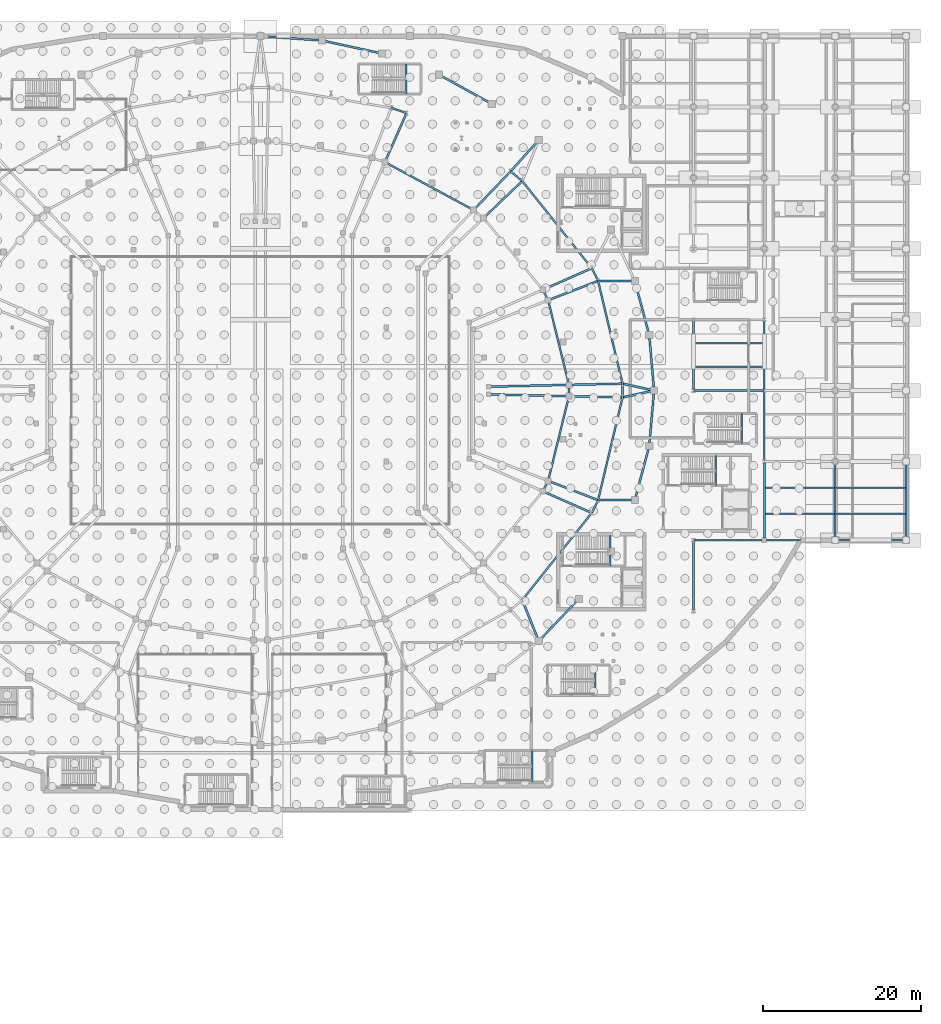
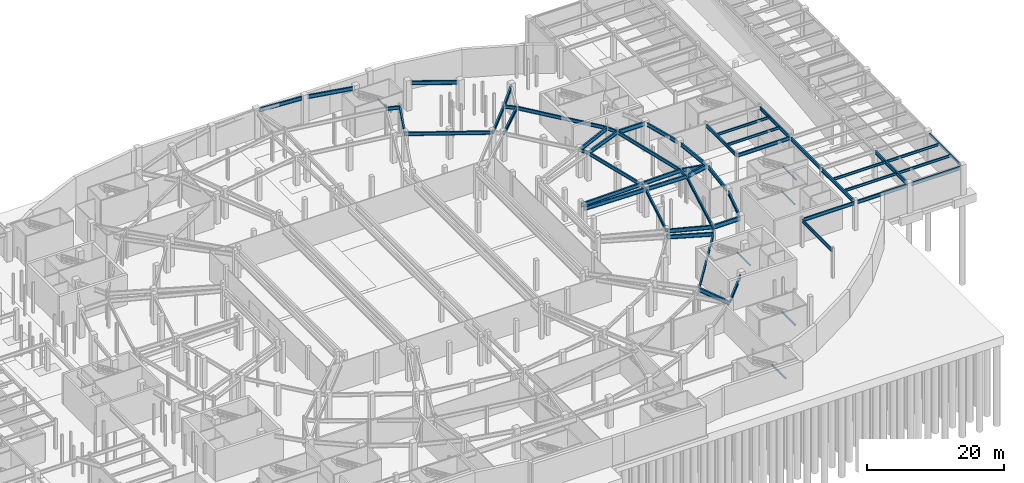
# One storey, part 37 of 56: 63 beams.
"""IFC4 building model written with IfcOpenShell, lengths in metres."""

from ifc_helpers import new_model, si_unit, direction, frame, origin, origin_2d, place, context, subcontext, project, spatial, hollow_rectangle, i_section, extrude, material, material_profile, profile_set, type_object, element, save


model = new_model("IFC4")

# Units and contexts
model_context = context("Model", 3, precision=1e-05, world=origin(), true_north=direction((0.0, 1.0)))
body_context = subcontext(model_context, "Body", "Model", "MODEL_VIEW")
ifc_project = project(units=[si_unit("LENGTHUNIT", "METRE"), si_unit("AREAUNIT", "SQUARE_METRE"), si_unit("VOLUMEUNIT", "CUBIC_METRE"), si_unit("PLANEANGLEUNIT", "RADIAN"), si_unit("MASSUNIT", "GRAM", prefix="KILO")], contexts=[model_context])

# Site, building, storey
site_placement = place(None, origin())
site = spatial("IfcSite", under=ifc_project, at=site_placement, CompositionType="ELEMENT")
building_placement = place(site_placement, origin())
building = spatial("IfcBuilding", under=site, at=building_placement, Name="Glasvene Arena", CompositionType="ELEMENT")
storey_placement = place(building_placement, frame((0.0, 0.0, -5.39990234375)))
storey = spatial("IfcBuildingStorey", under=building, at=storey_placement, Name="B1", CompositionType="ELEMENT", Elevation=-5.39990234375)

# Beams
ifc_material = material(Name="Steel S355J2", Category="steel")
ifc_material_profile_1 = material_profile(ifc_material, i_section(OverallWidth=0.228271484375, OverallDepth=0.607666015625, WebThickness=0.010986328125, FlangeThickness=0.017333984375, FilletRadius=0.0126953125, at=origin_2d()), Name="UKB 610x229x113")
ifc_profile_set_1 = profile_set([ifc_material_profile_1], Name="Steel S355J2")
beam_type_1 = type_object("IfcBeamType", Name="BM-GIRD-610", PredefinedType="BEAM", material=ifc_profile_set_1)
beam_1_placement = place(storey_placement, frame((147.050048828125, 54.0, 4.736083984375), z_axis=(1.0, 0.0, 0.0), x_axis=(0.0, 1.0, 0.0)))
element("IfcBeam", 1, at=beam_1_placement, inside=storey, type_object=beam_type_1, Name="Primary X girder B1-0036", PredefinedType="BEAM", context=body_context, shape_type="SweptSolid", body=[
    extrude(i_section(OverallWidth=0.228271484375, OverallDepth=0.607666015625, WebThickness=0.010986328125, FlangeThickness=0.017333984375, FilletRadius=0.0126953125, at=origin_2d()), origin(), (0.0, 0.0, 1.0), 8.655029296875),
])
beam_2_placement = place(storey_placement, frame((156.294921875, 54.0, 4.736083984375), z_axis=(1.0, 0.0, 0.0), x_axis=(0.0, 1.0, 0.0)))
element("IfcBeam", 2, at=beam_2_placement, inside=storey, type_object=beam_type_1, Name="Primary X girder B1-0037", PredefinedType="BEAM", context=body_context, shape_type="SweptSolid", body=[
    extrude(i_section(OverallWidth=0.228271484375, OverallDepth=0.607666015625, WebThickness=0.010986328125, FlangeThickness=0.017333984375, FilletRadius=0.0126953125, at=origin_2d()), origin(), (0.0, 0.0, 1.0), 8.260009765625),
])
beam_3_placement = place(storey_placement, frame((165.445068359375, 54.0, 4.736083984375), z_axis=(1.0, 0.0, 0.0), x_axis=(0.0, 1.0, 0.0)))
element("IfcBeam", 3, at=beam_3_placement, inside=storey, type_object=beam_type_1, Name="Primary X girder B1-0038", PredefinedType="BEAM", context=body_context, shape_type="SweptSolid", body=[
    extrude(i_section(OverallWidth=0.228271484375, OverallDepth=0.607666015625, WebThickness=0.010986328125, FlangeThickness=0.017333984375, FilletRadius=0.0126953125, at=origin_2d()), origin(), (0.0, 0.0, 1.0), 8.10986328125),
])
beam_4_placement = place(storey_placement, frame((147.050048828125, 73.0, 4.736083984375), z_axis=(1.0, 0.0, 0.0), x_axis=(0.0, 1.0, 0.0)))
element("IfcBeam", 4, at=beam_4_placement, inside=storey, type_object=beam_type_1, Name="Primary X girder B1-0047", PredefinedType="BEAM", context=body_context, shape_type="SweptSolid", body=[
    extrude(i_section(OverallWidth=0.228271484375, OverallDepth=0.607666015625, WebThickness=0.010986328125, FlangeThickness=0.017333984375, FilletRadius=0.0126953125, at=origin_2d()), origin(), (0.0, 0.0, 1.0), 8.89990234375),
])
for number, where, z_axis, x_axis, name in (
    (5, (147.0, 45.185546875, 4.736083984375), (0.0, 1.0, 0.0), (-1.0, 0.0, 0.0), "Primary Y girder B1-0144"),
    (6, (147.0, 73.185546875, 4.736083984375), (0.0, 1.0, 0.0), (-1.0, 0.0, 0.0), "Primary Y girder B1-0145"),
    (7, (156.0, 64.185546875, 4.736083984375), (0.0, 1.0, 0.0), (-1.0, 0.0, 0.0), "Primary Y girder B1-0150"),
    (8, (156.0, 73.185546875, 4.736083984375), (0.0, 1.0, 0.0), (-1.0, 0.0, 0.0), "Primary Y girder B1-0151"),
):
    element("IfcBeam", number, at=place(storey_placement, frame(where, z_axis=z_axis, x_axis=x_axis)), inside=storey, type_object=beam_type_1, Name=name, PredefinedType="BEAM", context=body_context, shape_type="SweptSolid", body=[
        extrude(i_section(OverallWidth=0.228271484375, OverallDepth=0.607666015625, WebThickness=0.010986328125, FlangeThickness=0.017333984375, FilletRadius=0.0126953125, at=origin_2d()), origin(), (0.0, 0.0, 1.0), 8.62890625),
    ])
beam_5_placement = place(storey_placement, frame((137.98828125, 73.87353515625, 4.73486328125), z_axis=(-0.23122513322, 0.972900271234, 0.0), x_axis=(-0.972900271234, -0.23122513322, 0.0)))
element("IfcBeam", 9, at=beam_5_placement, inside=storey, type_object=beam_type_1, Name="Concourse inner ring girder B1-01", PredefinedType="BEAM", context=body_context, shape_type="SweptSolid", body=[
    extrude(i_section(OverallWidth=0.228271484375, OverallDepth=0.607666015625, WebThickness=0.010986328125, FlangeThickness=0.017333984375, FilletRadius=0.0126953125, at=origin_2d()), origin(), (0.0, 0.0, 1.0), 13.41259765625),
])
beam_6_placement = place(storey_placement, frame((131.18994140625, 73.71923828125, 4.73486328125), z_axis=(-0.23885804662, 0.971054495672, 0.0), x_axis=(-0.971054495672, -0.23885804662, 0.0)))
element("IfcBeam", 10, at=beam_6_placement, inside=storey, type_object=beam_type_1, Name="Mid-bowl ring girder B1-01", PredefinedType="BEAM", context=body_context, shape_type="SweptSolid", body=[
    extrude(i_section(OverallWidth=0.228271484375, OverallDepth=0.607666015625, WebThickness=0.010986328125, FlangeThickness=0.017333984375, FilletRadius=0.0126953125, at=origin_2d()), origin(), (0.0, 0.0, 1.0), 11.064453125),
])
beam_7_placement = place(storey_placement, frame((134.886962890625, 86.922607421875, 4.73486328125), z_axis=(-0.443576698242, 0.896236415672, 0.0), x_axis=(-0.896236415672, -0.443576698242, 0.0)))
element("IfcBeam", 11, at=beam_7_placement, inside=storey, type_object=beam_type_1, Name="Concourse inner ring girder B1-02", PredefinedType="BEAM", context=body_context, shape_type="SweptSolid", body=[
    extrude(i_section(OverallWidth=0.228271484375, OverallDepth=0.607666015625, WebThickness=0.010986328125, FlangeThickness=0.017333984375, FilletRadius=0.0126953125, at=origin_2d()), origin(), (0.0, 0.0, 1.0), 1.80078125),
])
beam_8_placement = place(storey_placement, frame((128.547119140625, 84.46337890625, 4.73486328125), z_axis=(-0.455825325707, 0.890069251488, 0.0), x_axis=(-0.890069251488, -0.455825325707, 0.0)))
element("IfcBeam", 12, at=beam_8_placement, inside=storey, type_object=beam_type_1, Name="Mid-bowl ring girder B1-02", PredefinedType="BEAM", context=body_context, shape_type="SweptSolid", body=[
    extrude(i_section(OverallWidth=0.228271484375, OverallDepth=0.607666015625, WebThickness=0.010986328125, FlangeThickness=0.017333984375, FilletRadius=0.0126953125, at=origin_2d()), origin(), (0.0, 0.0, 1.0), 1.4931640625),
])
beam_9_placement = place(storey_placement, frame((134.088134765625, 88.53662109375, 4.73486328125), z_axis=(-0.623899670594, 0.781504447226, 0.0), x_axis=(-0.781504447226, -0.623899670594, 0.0)))
element("IfcBeam", 13, at=beam_9_placement, inside=storey, type_object=beam_type_1, Name="Concourse inner ring girder B1-03", PredefinedType="BEAM", context=body_context, shape_type="SweptSolid", body=[
    extrude(i_section(OverallWidth=0.228271484375, OverallDepth=0.607666015625, WebThickness=0.010986328125, FlangeThickness=0.017333984375, FilletRadius=0.0126953125, at=origin_2d()), origin(), (0.0, 0.0, 1.0), 14.1552734375),
])
beam_10_placement = place(storey_placement, frame((125.256591796875, 99.59912109375, 4.73486328125), z_axis=(-0.766930434436, 0.641730246082, 0.0), x_axis=(-0.641730246082, -0.766930434436, 0.0)))
element("IfcBeam", 14, at=beam_10_placement, inside=storey, type_object=beam_type_1, Name="Concourse inner ring girder B1-04", PredefinedType="BEAM", context=body_context, shape_type="SweptSolid", body=[
    extrude(i_section(OverallWidth=0.228271484375, OverallDepth=0.607666015625, WebThickness=0.010986328125, FlangeThickness=0.017333984375, FilletRadius=0.0126953125, at=origin_2d()), origin(), (0.0, 0.0, 1.0), 1.924560546875),
])
beam_11_placement = place(storey_placement, frame((119.08251953125, 95.918212890625, 4.73486328125), z_axis=(-0.879784979892, 0.475371843042, 0.0), x_axis=(-0.475371843042, -0.879784979892, 0.0)))
element("IfcBeam", 15, at=beam_11_placement, inside=storey, type_object=beam_type_1, Name="Mid-bowl ring girder B1-05", PredefinedType="BEAM", context=body_context, shape_type="SweptSolid", body=[
    extrude(i_section(OverallWidth=0.228271484375, OverallDepth=0.607666015625, WebThickness=0.010986328125, FlangeThickness=0.017333984375, FilletRadius=0.0126953125, at=origin_2d()), origin(), (0.0, 0.0, 1.0), 12.802490234375),
])
beam_12_placement = place(storey_placement, frame((110.56298828125, 108.225830078125, 4.73486328125), z_axis=(-0.944798184006, 0.327652852114, 0.0), x_axis=(-0.327652852114, -0.944798184006, 0.0)))
element("IfcBeam", 16, at=beam_12_placement, inside=storey, type_object=beam_type_1, Name="Concourse inner ring girder B1-06", PredefinedType="BEAM", context=body_context, shape_type="SweptSolid", body=[
    extrude(i_section(OverallWidth=0.228271484375, OverallDepth=0.607666015625, WebThickness=0.010986328125, FlangeThickness=0.017333984375, FilletRadius=0.0126953125, at=origin_2d()), origin(), (0.0, 0.0, 1.0), 2.040771484375),
])
beam_13_placement = place(storey_placement, frame((125.256591796875, 46.40087890625, 4.73486328125), z_axis=(0.623899670594, 0.781504447226, 0.0), x_axis=(-0.781504447226, 0.623899670594, 0.0)))
element("IfcBeam", 17, at=beam_13_placement, inside=storey, type_object=beam_type_1, Name="Concourse inner ring girder B1-29", PredefinedType="BEAM", context=body_context, shape_type="SweptSolid", body=[
    extrude(i_section(OverallWidth=0.228271484375, OverallDepth=0.607666015625, WebThickness=0.010986328125, FlangeThickness=0.017333984375, FilletRadius=0.0126953125, at=origin_2d()), origin(), (0.0, 0.0, 1.0), 14.1552734375),
])
beam_14_placement = place(storey_placement, frame((134.088134765625, 57.46337890625, 4.73486328125), z_axis=(0.443576698242, 0.896236415672, 0.0), x_axis=(-0.896236415672, 0.443576698242, 0.0)))
element("IfcBeam", 18, at=beam_14_placement, inside=storey, type_object=beam_type_1, Name="Concourse inner ring girder B1-30", PredefinedType="BEAM", context=body_context, shape_type="SweptSolid", body=[
    extrude(i_section(OverallWidth=0.228271484375, OverallDepth=0.607666015625, WebThickness=0.010986328125, FlangeThickness=0.017333984375, FilletRadius=0.0126953125, at=origin_2d()), origin(), (0.0, 0.0, 1.0), 1.80078125),
])
beam_15_placement = place(storey_placement, frame((127.866455078125, 60.20751953125, 4.73486328125), z_axis=(0.455825325707, 0.890069251488, 0.0), x_axis=(-0.890069251488, 0.455825325707, 0.0)))
element("IfcBeam", 19, at=beam_15_placement, inside=storey, type_object=beam_type_1, Name="Mid-bowl ring girder B1-30", PredefinedType="BEAM", context=body_context, shape_type="SweptSolid", body=[
    extrude(i_section(OverallWidth=0.228271484375, OverallDepth=0.607666015625, WebThickness=0.010986328125, FlangeThickness=0.017333984375, FilletRadius=0.0126953125, at=origin_2d()), origin(), (0.0, 0.0, 1.0), 1.4931640625),
])
beam_16_placement = place(storey_placement, frame((134.886962890625, 59.077392578125, 4.73486328125), z_axis=(0.23122513322, 0.972900271234, 0.0), x_axis=(-0.972900271234, 0.23122513322, 0.0)))
element("IfcBeam", 20, at=beam_16_placement, inside=storey, type_object=beam_type_1, Name="Concourse inner ring girder B1-31", PredefinedType="BEAM", context=body_context, shape_type="SweptSolid", body=[
    extrude(i_section(OverallWidth=0.228271484375, OverallDepth=0.607666015625, WebThickness=0.010986328125, FlangeThickness=0.017333984375, FilletRadius=0.0126953125, at=origin_2d()), origin(), (0.0, 0.0, 1.0), 13.41259765625),
])
beam_17_placement = place(storey_placement, frame((128.547119140625, 61.53662109375, 4.73486328125), z_axis=(0.23885804662, 0.971054495672, 0.0), x_axis=(-0.971054495672, 0.23885804662, 0.0)))
element("IfcBeam", 21, at=beam_17_placement, inside=storey, type_object=beam_type_1, Name="Mid-bowl ring girder B1-31", PredefinedType="BEAM", context=body_context, shape_type="SweptSolid", body=[
    extrude(i_section(OverallWidth=0.228271484375, OverallDepth=0.607666015625, WebThickness=0.010986328125, FlangeThickness=0.017333984375, FilletRadius=0.0126953125, at=origin_2d()), origin(), (0.0, 0.0, 1.0), 11.064453125),
])
beam_18_placement = place(storey_placement, frame((137.98828125, 72.12646484375, 4.73486328125), z_axis=(0.0, 1.0, 0.0), x_axis=(-1.0, 0.0, 0.0)))
element("IfcBeam", 22, at=beam_18_placement, inside=storey, type_object=beam_type_1, Name="Concourse inner ring girder B1-32", PredefinedType="BEAM", context=body_context, shape_type="SweptSolid", body=[
    extrude(i_section(OverallWidth=0.228271484375, OverallDepth=0.607666015625, WebThickness=0.010986328125, FlangeThickness=0.017333984375, FilletRadius=0.0126953125, at=origin_2d()), origin(), (0.0, 0.0, 1.0), 1.7470703125),
])
beam_19_placement = place(storey_placement, frame((131.18994140625, 72.28076171875, 4.73486328125), z_axis=(0.0, 1.0, 0.0), x_axis=(-1.0, 0.0, 0.0)))
element("IfcBeam", 23, at=beam_19_placement, inside=storey, type_object=beam_type_1, Name="Mid-bowl ring girder B1-32", PredefinedType="BEAM", context=body_context, shape_type="SweptSolid", body=[
    extrude(i_section(OverallWidth=0.228271484375, OverallDepth=0.607666015625, WebThickness=0.010986328125, FlangeThickness=0.017333984375, FilletRadius=0.0126953125, at=origin_2d()), origin(), (0.0, 0.0, 1.0), 1.4384765625),
])
ifc_material_profile_2 = material_profile(ifc_material, i_section(OverallWidth=0.253662109375, OverallDepth=0.68359375, WebThickness=0.012451171875, FlangeThickness=0.01904296875, FilletRadius=0.01513671875, at=origin_2d()), Name="UKB 686x254x140")
ifc_profile_set_2 = profile_set([ifc_material_profile_2], Name="Steel S355J2")
beam_type_2 = type_object("IfcBeamType", Name="BM-GIRD-686", PredefinedType="BEAM", material=ifc_profile_set_2)
beam_20_placement = place(storey_placement, frame((156.0, 54.294921875, 4.6982421875), z_axis=(0.0, 1.0, 0.0), x_axis=(-1.0, 0.0, 0.0)))
element("IfcBeam", 24, at=beam_20_placement, inside=storey, type_object=beam_type_2, Name="Primary Y girder B1-0149", PredefinedType="BEAM", context=body_context, shape_type="SweptSolid", body=[
    extrude(i_section(OverallWidth=0.253662109375, OverallDepth=0.68359375, WebThickness=0.012451171875, FlangeThickness=0.01904296875, FilletRadius=0.01513671875, at=origin_2d()), origin(), (0.0, 0.0, 1.0), 9.51953125),
])
beam_21_placement = place(storey_placement, frame((165.0, 54.445068359375, 4.6982421875), z_axis=(0.0, 1.0, 0.0), x_axis=(-1.0, 0.0, 0.0)))
element("IfcBeam", 25, at=beam_21_placement, inside=storey, type_object=beam_type_2, Name="Primary Y girder B1-0156", PredefinedType="BEAM", context=body_context, shape_type="SweptSolid", body=[
    extrude(i_section(OverallWidth=0.253662109375, OverallDepth=0.68359375, WebThickness=0.012451171875, FlangeThickness=0.01904296875, FilletRadius=0.01513671875, at=origin_2d()), origin(), (0.0, 0.0, 1.0), 9.260009765625),
])
beam_22_placement = place(storey_placement, frame((141.96337890625, 73.41845703125, 4.6982421875), z_axis=(-0.087127064211, 0.996197206723, 0.0), x_axis=(-0.996197206723, -0.087127064211, 0.0)))
element("IfcBeam", 26, at=beam_22_placement, inside=storey, type_object=beam_type_2, Name="Bowl ring chord beam B1-01", PredefinedType="BEAM", context=body_context, shape_type="SweptSolid", body=[
    extrude(i_section(OverallWidth=0.253662109375, OverallDepth=0.68359375, WebThickness=0.012451171875, FlangeThickness=0.01904296875, FilletRadius=0.01513671875, at=origin_2d()), origin(), (0.0, 0.0, 1.0), 6.226318359375),
])
beam_23_placement = place(storey_placement, frame((141.276123046875, 80.4453125, 4.6982421875), z_axis=(-0.257723273136, 0.966218771544, 0.0), x_axis=(-0.966218771544, -0.257723273136, 0.0)))
element("IfcBeam", 27, at=beam_23_placement, inside=storey, type_object=beam_type_2, Name="Bowl ring chord beam B1-02", PredefinedType="BEAM", context=body_context, shape_type="SweptSolid", body=[
    extrude(i_section(OverallWidth=0.253662109375, OverallDepth=0.68359375, WebThickness=0.012451171875, FlangeThickness=0.01904296875, FilletRadius=0.01513671875, at=origin_2d()), origin(), (0.0, 0.0, 1.0), 6.266357421875),
])
beam_24_placement = place(storey_placement, frame((121.021484375, 109.608642578125, 4.6982421875), z_axis=(-0.875645230087, 0.482954895436, 0.0), x_axis=(-0.482954895436, -0.875645230087, 0.0)))
element("IfcBeam", 28, at=beam_24_placement, inside=storey, type_object=beam_type_2, Name="Bowl ring chord beam B1-07", PredefinedType="BEAM", context=body_context, shape_type="SweptSolid", body=[
    extrude(i_section(OverallWidth=0.253662109375, OverallDepth=0.68359375, WebThickness=0.012451171875, FlangeThickness=0.01904296875, FilletRadius=0.01513671875, at=origin_2d()), origin(), (0.0, 0.0, 1.0), 6.799560546875),
])
beam_25_placement = place(storey_placement, frame((107.040283203125, 115.88623046875, 4.6982421875), z_axis=(-0.977438814508, 0.211218758382, 0.0), x_axis=(-0.211218758382, -0.977438814508, 0.0)))
element("IfcBeam", 29, at=beam_25_placement, inside=storey, type_object=beam_type_2, Name="Bowl ring chord beam B1-09", PredefinedType="BEAM", context=body_context, shape_type="SweptSolid", body=[
    extrude(i_section(OverallWidth=0.253662109375, OverallDepth=0.68359375, WebThickness=0.012451171875, FlangeThickness=0.01904296875, FilletRadius=0.01513671875, at=origin_2d()), origin(), (0.0, 0.0, 1.0), 6.96533203125),
])
beam_26_placement = place(storey_placement, frame((99.402587890625, 117.4755859375, 4.6982421875), z_axis=(-0.997501181168, 0.070649795247, 0.0), x_axis=(-0.070649795247, -0.997501181168, 0.0)))
element("IfcBeam", 30, at=beam_26_placement, inside=storey, type_object=beam_type_2, Name="Bowl ring chord beam B1-10", PredefinedType="BEAM", context=body_context, shape_type="SweptSolid", body=[
    extrude(i_section(OverallWidth=0.253662109375, OverallDepth=0.68359375, WebThickness=0.012451171875, FlangeThickness=0.01904296875, FilletRadius=0.01513671875, at=origin_2d()), origin(), (0.0, 0.0, 1.0), 7.001220703125),
])
beam_27_placement = place(storey_placement, frame((127.644287109375, 41.48486328125, 4.6982421875), z_axis=(0.688356315458, 0.725372720034, 0.0), x_axis=(-0.725372720034, 0.688356315458, 0.0)))
element("IfcBeam", 31, at=beam_27_placement, inside=storey, type_object=beam_type_2, Name="Bowl ring chord beam B1-36", PredefinedType="BEAM", context=body_context, shape_type="SweptSolid", body=[
    extrude(i_section(OverallWidth=0.253662109375, OverallDepth=0.68359375, WebThickness=0.012451171875, FlangeThickness=0.01904296875, FilletRadius=0.01513671875, at=origin_2d()), origin(), (0.0, 0.0, 1.0), 6.5625),
])
beam_28_placement = place(storey_placement, frame((139.6611328125, 59.5, 4.6982421875), z_axis=(0.257723273136, 0.966218771544, 0.0), x_axis=(-0.966218771544, 0.257723273136, 0.0)))
element("IfcBeam", 32, at=beam_28_placement, inside=storey, type_object=beam_type_2, Name="Bowl ring chord beam B1-39", PredefinedType="BEAM", context=body_context, shape_type="SweptSolid", body=[
    extrude(i_section(OverallWidth=0.253662109375, OverallDepth=0.68359375, WebThickness=0.012451171875, FlangeThickness=0.01904296875, FilletRadius=0.01513671875, at=origin_2d()), origin(), (0.0, 0.0, 1.0), 6.266357421875),
])
beam_29_placement = place(storey_placement, frame((141.4208984375, 66.37890625, 4.6982421875), z_axis=(0.087127064211, 0.996197206723, 0.0), x_axis=(-0.996197206723, 0.087127064211, 0.0)))
element("IfcBeam", 33, at=beam_29_placement, inside=storey, type_object=beam_type_2, Name="Bowl ring chord beam B1-40", PredefinedType="BEAM", context=body_context, shape_type="SweptSolid", body=[
    extrude(i_section(OverallWidth=0.253662109375, OverallDepth=0.68359375, WebThickness=0.012451171875, FlangeThickness=0.01904296875, FilletRadius=0.01513671875, at=origin_2d()), origin(), (0.0, 0.0, 1.0), 6.226318359375),
])
for number, where, z_axis, x_axis, name in (
    (34, (131.18994140625, 73.71923828125, 4.697998046875), (0.9997425394, 0.022690414598, 0.0), (-0.022690414598, 0.9997425394, 0.0), "Mid-to-rear radial girder B1-01"),
    (35, (128.547119140625, 84.46337890625, 4.697998046875), (0.932315610983, 0.361645685052, 0.0), (-0.361645685052, 0.932315610983, 0.0), "Mid-to-rear radial girder B1-02"),
    (36, (127.866455078125, 85.79248046875, 4.697998046875), (0.914956794247, 0.40355181162, 0.0), (-0.40355181162, 0.914956794247, 0.0), "Mid-to-rear radial girder B1-03"),
):
    element("IfcBeam", number, at=place(storey_placement, frame(where, z_axis=z_axis, x_axis=x_axis)), inside=storey, type_object=beam_type_2, Name=name, PredefinedType="BEAM", context=body_context, shape_type="SweptSolid", body=[
        extrude(i_section(OverallWidth=0.253662109375, OverallDepth=0.68359375, WebThickness=0.012451171875, FlangeThickness=0.01904296875, FilletRadius=0.01513671875, at=origin_2d()), origin(), (0.0, 0.0, 1.0), 6.800048828125),
    ])
beam_30_placement = place(storey_placement, frame((120.34033203125, 94.90087890625, 4.697998046875), z_axis=(0.722955223934, 0.690894886496, 0.0), x_axis=(-0.690894886496, 0.722955223934, 0.0)))
element("IfcBeam", 37, at=beam_30_placement, inside=storey, type_object=beam_type_2, Name="Mid-to-rear radial girder B1-04", PredefinedType="BEAM", context=body_context, shape_type="SweptSolid", body=[
    extrude(i_section(OverallWidth=0.253662109375, OverallDepth=0.68359375, WebThickness=0.012451171875, FlangeThickness=0.01904296875, FilletRadius=0.01513671875, at=origin_2d()), origin(), (0.0, 0.0, 1.0), 6.80029296875),
])
for number, where, z_axis, x_axis, name in (
    (38, (119.08251953125, 95.918212890625, 4.697998046875), (0.690894054314, 0.722956019211, 0.0), (-0.722956019211, 0.690894054314, 0.0), "Mid-to-rear radial girder B1-05"),
    (39, (107.819091796875, 102.004150390625, 4.697998046875), (0.403521754761, 0.914970050567, 0.0), (-0.914970050567, 0.403521754761, 0.0), "Mid-to-rear radial girder B1-06"),
):
    element("IfcBeam", number, at=place(storey_placement, frame(where, z_axis=z_axis, x_axis=x_axis)), inside=storey, type_object=beam_type_2, Name=name, PredefinedType="BEAM", context=body_context, shape_type="SweptSolid", body=[
        extrude(i_section(OverallWidth=0.253662109375, OverallDepth=0.68359375, WebThickness=0.012451171875, FlangeThickness=0.01904296875, FilletRadius=0.01513671875, at=origin_2d()), origin(), (0.0, 0.0, 1.0), 6.7998046875),
    ])
for number, where, z_axis, x_axis, name in (
    (40, (127.866455078125, 60.20751953125, 4.697998046875), (0.914956794247, -0.40355181162, 0.0), (0.40355181162, 0.914956794247, 0.0), "Mid-to-rear radial girder B1-30"),
    (41, (128.547119140625, 61.53662109375, 4.697998046875), (0.932315610983, -0.361645685052, 0.0), (0.361645685052, 0.932315610983, 0.0), "Mid-to-rear radial girder B1-31"),
    (42, (131.18994140625, 72.28076171875, 4.697998046875), (0.9997425394, -0.022690414598, 0.0), (0.022690414598, 0.9997425394, 0.0), "Mid-to-rear radial girder B1-32"),
):
    element("IfcBeam", number, at=place(storey_placement, frame(where, z_axis=z_axis, x_axis=x_axis)), inside=storey, type_object=beam_type_2, Name=name, PredefinedType="BEAM", context=body_context, shape_type="SweptSolid", body=[
        extrude(i_section(OverallWidth=0.253662109375, OverallDepth=0.68359375, WebThickness=0.012451171875, FlangeThickness=0.01904296875, FilletRadius=0.01513671875, at=origin_2d()), origin(), (0.0, 0.0, 1.0), 6.800048828125),
    ])
for number, where, z_axis, x_axis, name in (
    (43, (120.992431640625, 73.48779296875, 4.697998046875), (0.9997425394, 0.022690414598, 0.0), (-0.022690414598, 0.9997425394, 0.0), "Pitch-to-mid basement girder 01"),
    (44, (120.992431640625, 72.51220703125, 4.697998046875), (0.9997425394, -0.022690414598, 0.0), (0.022690414598, 0.9997425394, 0.0), "Pitch-to-mid basement girder 32"),
):
    element("IfcBeam", number, at=place(storey_placement, frame(where, z_axis=z_axis, x_axis=x_axis)), inside=storey, type_object=beam_type_2, Name=name, PredefinedType="BEAM", context=body_context, shape_type="SweptSolid", body=[
        extrude(i_section(OverallWidth=0.253662109375, OverallDepth=0.68359375, WebThickness=0.012451171875, FlangeThickness=0.01904296875, FilletRadius=0.01513671875, at=origin_2d()), origin(), (0.0, 0.0, 1.0), 10.2001953125),
    ])
ifc_material_profile_3 = material_profile(ifc_material, i_section(OverallWidth=0.2666015625, OverallDepth=0.76220703125, WebThickness=0.014404296875, FlangeThickness=0.021484375, FilletRadius=0.0166015625, at=origin_2d()), Name="UKB 762x267x173")
ifc_profile_set_3 = profile_set([ifc_material_profile_3], Name="Steel S355J2")
beam_type_3 = type_object("IfcBeamType", Name="BM-GIRD-762", PredefinedType="BEAM", material=ifc_profile_set_3)
beam_31_placement = place(storey_placement, frame((137.98828125, 73.87353515625, 4.65869140625), z_axis=(0.977104393575, -0.212760438182, 0.0), x_axis=(0.212760438182, 0.977104393575, 0.0)))
element("IfcBeam", 45, at=beam_31_placement, inside=storey, type_object=beam_type_3, Name="Radial concourse girder B1-01", PredefinedType="BEAM", context=body_context, shape_type="SweptSolid", body=[
    extrude(i_section(OverallWidth=0.2666015625, OverallDepth=0.76220703125, WebThickness=0.014404296875, FlangeThickness=0.021484375, FilletRadius=0.0166015625, at=origin_2d()), origin(), (0.0, 0.0, 1.0), 4.105712890625),
])
beam_32_placement = place(storey_placement, frame((134.886962890625, 86.922607421875, 4.65869140625), z_axis=(0.999993482259, -0.003610462575, 0.0), x_axis=(0.003610462575, 0.999993482259, 0.0)))
element("IfcBeam", 46, at=beam_32_placement, inside=storey, type_object=beam_type_3, Name="Radial concourse girder B1-02", PredefinedType="BEAM", context=body_context, shape_type="SweptSolid", body=[
    extrude(i_section(OverallWidth=0.2666015625, OverallDepth=0.76220703125, WebThickness=0.014404296875, FlangeThickness=0.021484375, FilletRadius=0.0166015625, at=origin_2d()), origin(), (0.0, 0.0, 1.0), 4.665771484375),
])
beam_33_placement = place(storey_placement, frame((123.780517578125, 100.834228515625, 4.65869140625), z_axis=(0.667691455448, 0.744438123904, 0.0), x_axis=(-0.744438123904, 0.667691455448, 0.0)))
element("IfcBeam", 47, at=beam_33_placement, inside=storey, type_object=beam_type_3, Name="Radial concourse girder B1-05", PredefinedType="BEAM", context=body_context, shape_type="SweptSolid", body=[
    extrude(i_section(OverallWidth=0.2666015625, OverallDepth=0.76220703125, WebThickness=0.014404296875, FlangeThickness=0.021484375, FilletRadius=0.0166015625, at=origin_2d()), origin(), (0.0, 0.0, 1.0), 5.353759765625),
])
beam_34_placement = place(storey_placement, frame((125.256591796875, 46.40087890625, 4.65869140625), z_axis=(0.372976095384, -0.927840952034, 0.0), x_axis=(0.927840952034, 0.372976095384, 0.0)))
element("IfcBeam", 48, at=beam_34_placement, inside=storey, type_object=beam_type_3, Name="Radial concourse girder B1-29", PredefinedType="BEAM", context=body_context, shape_type="SweptSolid", body=[
    extrude(i_section(OverallWidth=0.2666015625, OverallDepth=0.76220703125, WebThickness=0.014404296875, FlangeThickness=0.021484375, FilletRadius=0.0166015625, at=origin_2d()), origin(), (0.0, 0.0, 1.0), 5.626708984375),
])
beam_35_placement = place(storey_placement, frame((134.886962890625, 59.077392578125, 4.65869140625), z_axis=(0.999993482259, 0.003610462575, 0.0), x_axis=(-0.003610462575, 0.999993482259, 0.0)))
element("IfcBeam", 49, at=beam_35_placement, inside=storey, type_object=beam_type_3, Name="Radial concourse girder B1-31", PredefinedType="BEAM", context=body_context, shape_type="SweptSolid", body=[
    extrude(i_section(OverallWidth=0.2666015625, OverallDepth=0.76220703125, WebThickness=0.014404296875, FlangeThickness=0.021484375, FilletRadius=0.0166015625, at=origin_2d()), origin(), (0.0, 0.0, 1.0), 4.665771484375),
])
beam_36_placement = place(storey_placement, frame((137.98828125, 72.12646484375, 4.65869140625), z_axis=(0.977104393575, 0.212760438182, 0.0), x_axis=(-0.212760438182, 0.977104393575, 0.0)))
element("IfcBeam", 50, at=beam_36_placement, inside=storey, type_object=beam_type_3, Name="Radial concourse girder B1-32", PredefinedType="BEAM", context=body_context, shape_type="SweptSolid", body=[
    extrude(i_section(OverallWidth=0.2666015625, OverallDepth=0.76220703125, WebThickness=0.014404296875, FlangeThickness=0.021484375, FilletRadius=0.0166015625, at=origin_2d()), origin(), (0.0, 0.0, 1.0), 4.105712890625),
])
ifc_material_profile_4 = material_profile(ifc_material, i_section(OverallWidth=0.1904296875, OverallDepth=0.45703125, WebThickness=0.009033203125, FlangeThickness=0.014404296875, FilletRadius=0.01025390625, at=origin_2d()), Name="UKB 457x191x74")
ifc_profile_set_4 = profile_set([ifc_material_profile_4], Name="Steel S355J2")
beam_type_4 = type_object("IfcBeamType", Name="BM-JOIST-457", PredefinedType="JOIST", material=ifc_profile_set_4)
for number, where, z_axis, x_axis, name in (
    (51, (147.110107421875, 76.0, 4.8115234375), (1.0, 0.0, 0.0), (0.0, 1.0, 0.0), "Composite floor joist B1-0254"),
    (52, (147.110107421875, 79.0, 4.8115234375), (1.0, 0.0, 0.0), (0.0, 1.0, 0.0), "Composite floor joist B1-0255"),
):
    element("IfcBeam", number, at=place(storey_placement, frame(where, z_axis=z_axis, x_axis=x_axis)), inside=storey, type_object=beam_type_4, Name=name, PredefinedType="JOIST", context=body_context, shape_type="SweptSolid", body=[
        extrude(i_section(OverallWidth=0.1904296875, OverallDepth=0.45703125, WebThickness=0.009033203125, FlangeThickness=0.014404296875, FilletRadius=0.01025390625, at=origin_2d()), origin(), (0.0, 0.0, 1.0), 8.77978515625),
    ])
for number, where, z_axis, x_axis, name in (
    (53, (156.122802734375, 57.333251953125, 4.8115234375), (1.0, 0.0, 0.0), (0.0, 1.0, 0.0), "Composite floor joist B1-0262"),
    (54, (156.122802734375, 60.666748046875, 4.8115234375), (1.0, 0.0, 0.0), (0.0, 1.0, 0.0), "Composite floor joist B1-0263"),
):
    element("IfcBeam", number, at=place(storey_placement, frame(where, z_axis=z_axis, x_axis=x_axis)), inside=storey, type_object=beam_type_4, Name=name, PredefinedType="JOIST", context=body_context, shape_type="SweptSolid", body=[
        extrude(i_section(OverallWidth=0.1904296875, OverallDepth=0.45703125, WebThickness=0.009033203125, FlangeThickness=0.014404296875, FilletRadius=0.01025390625, at=origin_2d()), origin(), (0.0, 0.0, 1.0), 8.75439453125),
    ])
for number, where, z_axis, x_axis, name in (
    (55, (165.122802734375, 57.333251953125, 4.8115234375), (1.0, 0.0, 0.0), (0.0, 1.0, 0.0), "Composite floor joist B1-0266"),
    (56, (165.122802734375, 60.666748046875, 4.8115234375), (1.0, 0.0, 0.0), (0.0, 1.0, 0.0), "Composite floor joist B1-0267"),
):
    element("IfcBeam", number, at=place(storey_placement, frame(where, z_axis=z_axis, x_axis=x_axis)), inside=storey, type_object=beam_type_4, Name=name, PredefinedType="JOIST", context=body_context, shape_type="SweptSolid", body=[
        extrude(i_section(OverallWidth=0.1904296875, OverallDepth=0.45703125, WebThickness=0.009033203125, FlangeThickness=0.014404296875, FilletRadius=0.01025390625, at=origin_2d()), origin(), (0.0, 0.0, 1.0), 8.78125),
    ])
ifc_material_profile_5 = material_profile(ifc_material, hollow_rectangle(XDim=0.199951171875, YDim=0.199951171875, WallThickness=0.010009765625, at=origin_2d()), Name="SHS 200x200x10.0")
ifc_profile_set_5 = profile_set([ifc_material_profile_5], Name="Steel S355J2")
beam_type_5 = type_object("IfcBeamType", Name="BM-LINTEL-200", PredefinedType="LINTEL", material=ifc_profile_set_5)
beam_37_placement = place(storey_placement, frame((136.419921875, 50.72998046875, 2.3798828125), z_axis=(0.0, 1.0, 0.0), x_axis=(-1.0, 0.0, 0.0)))
element("IfcBeam", 57, at=beam_37_placement, inside=storey, type_object=beam_type_5, Name="Stair half-landing support beam ST-04-B1", PredefinedType="LINTEL", context=body_context, shape_type="SweptSolid", body=[
    extrude(hollow_rectangle(XDim=0.199951171875, YDim=0.199951171875, WallThickness=0.010009765625, at=origin_2d()), origin(), (0.0, 0.0, 1.0), 3.89013671875),
])
beam_38_placement = place(storey_placement, frame((134.52001953125, 34.280029296875, 2.3798828125), z_axis=(0.0, 1.0, 0.0), x_axis=(-1.0, 0.0, 0.0)))
element("IfcBeam", 58, at=beam_38_placement, inside=storey, type_object=beam_type_5, Name="Stair half-landing support beam ST-06-B1", PredefinedType="LINTEL", context=body_context, shape_type="SweptSolid", body=[
    extrude(hollow_rectangle(XDim=0.199951171875, YDim=0.199951171875, WallThickness=0.010009765625, at=origin_2d()), origin(), (0.0, 0.0, 1.0), 3.889892578125),
])
for number, where, z_axis, x_axis, name in (
    (59, (110.52001953125, 110.679931640625, 2.3798828125), (0.0, 1.0, 0.0), (-1.0, 0.0, 0.0), "Stair half-landing support beam ST-11-B1"),
    (60, (149.820068359375, 60.929931640625, 2.3798828125), (0.0, 1.0, 0.0), (-1.0, 0.0, 0.0), "Stair half-landing support beam ST-B01-B1"),
    (61, (153.1201171875, 66.280029296875, 2.3798828125), (0.0, 1.0, 0.0), (-1.0, 0.0, 0.0), "Stair half-landing support beam ST-B04-B1"),
):
    element("IfcBeam", number, at=place(storey_placement, frame(where, z_axis=z_axis, x_axis=x_axis)), inside=storey, type_object=beam_type_5, Name=name, PredefinedType="LINTEL", context=body_context, shape_type="SweptSolid", body=[
        extrude(hollow_rectangle(XDim=0.199951171875, YDim=0.199951171875, WallThickness=0.010009765625, at=origin_2d()), origin(), (0.0, 0.0, 1.0), 3.7900390625),
    ])
beam_39_placement = place(storey_placement, frame((126.52001953125, 23.280029296875, 2.3798828125), z_axis=(0.0, 1.0, 0.0), x_axis=(-1.0, 0.0, 0.0)))
element("IfcBeam", 62, at=beam_39_placement, inside=storey, type_object=beam_type_5, Name="Stair half-landing support beam ST-B07-B1", PredefinedType="LINTEL", context=body_context, shape_type="SweptSolid", body=[
    extrude(hollow_rectangle(XDim=0.199951171875, YDim=0.199951171875, WallThickness=0.010009765625, at=origin_2d()), origin(), (0.0, 0.0, 1.0), 3.989990234375),
])
ifc_material_profile_6 = material_profile(ifc_material, hollow_rectangle(XDim=0.199951171875, YDim=0.39990234375, WallThickness=0.01611328125, at=origin_2d()), Name="RHS 400x200x16.0")
ifc_profile_set_6 = profile_set([ifc_material_profile_6], Name="Steel S355J2")
beam_type_6 = type_object("IfcBeamType", Name="BM-SPAND-400", PredefinedType="SPANDREL", material=ifc_profile_set_6)
beam_40_placement = place(storey_placement, frame((174.0, 54.445068359375, 4.83984375), z_axis=(0.0, 1.0, 0.0), x_axis=(-1.0, 0.0, 0.0)))
element("IfcBeam", 63, at=beam_40_placement, inside=storey, type_object=beam_type_6, Name="Primary Y girder B1-0163", PredefinedType="SPANDREL", context=body_context, shape_type="SweptSolid", body=[
    extrude(hollow_rectangle(XDim=0.199951171875, YDim=0.39990234375, WallThickness=0.01611328125, at=origin_2d()), origin(), (0.0, 0.0, 1.0), 9.10986328125),
])

save(model, "model.ifc")
